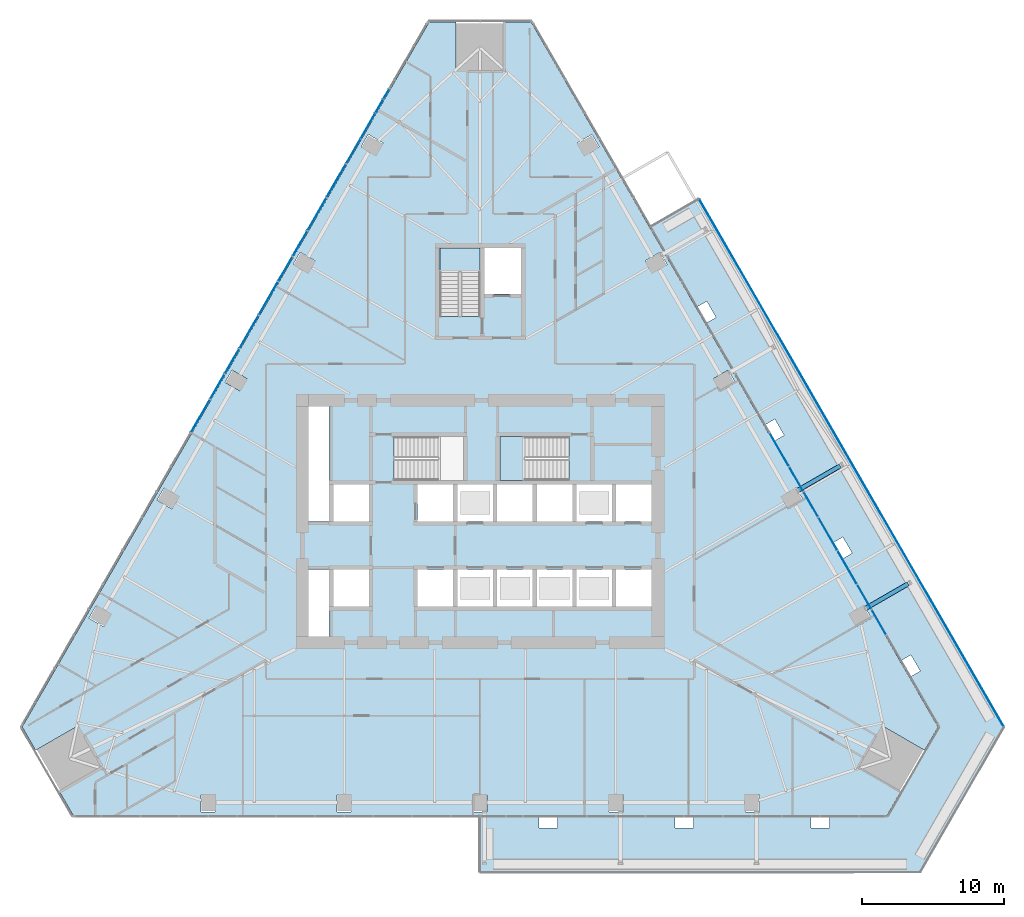
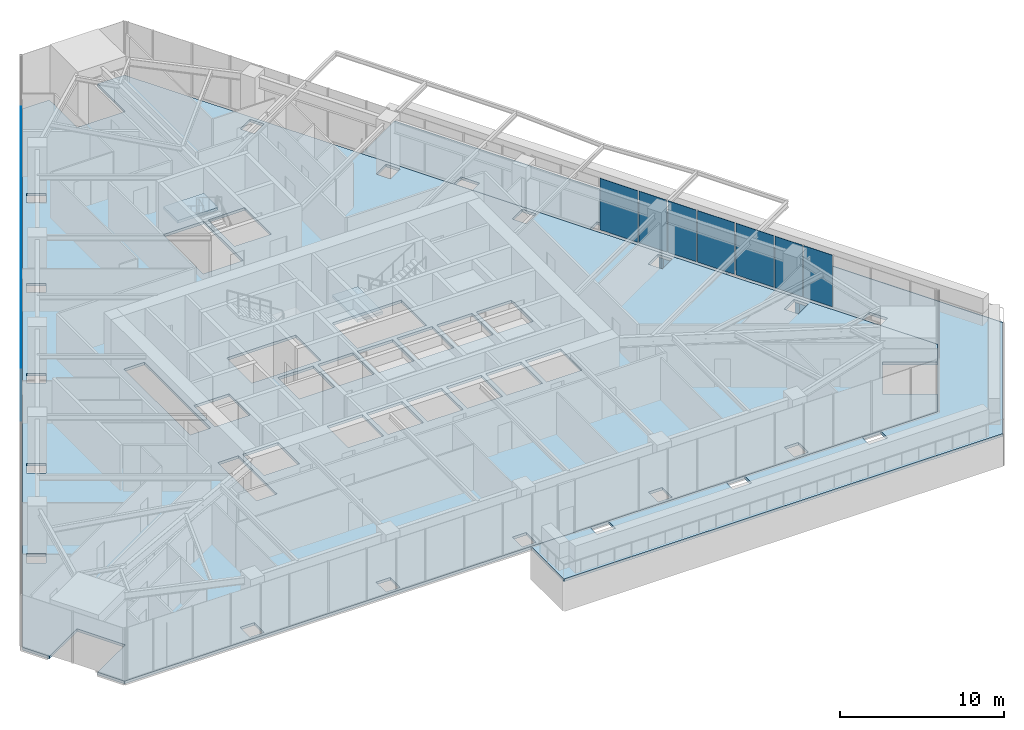
# One storey, part 16 of 29: 24 plates, 4 slabs, 4 elements without a shape of their own.
"""IFC4 building model written with IfcOpenShell, lengths in metres."""

from ifc_helpers import new_model, si_unit, direction, frame, origin, place, context, subcontext, project, spatial, polyline, outline, extrude, material, layer, layer_set, type_object, element, aggregate, save


model = new_model("IFC4")

# Units and contexts
model_context = context("Model", 3, precision=1e-05, world=origin(), true_north=direction((0.0, 1.0)))
body_context = subcontext(model_context, "Body", "Model", "MODEL_VIEW")
ifc_project = project(units=[si_unit("LENGTHUNIT", "METRE"), si_unit("AREAUNIT", "SQUARE_METRE"), si_unit("VOLUMEUNIT", "CUBIC_METRE"), si_unit("PLANEANGLEUNIT", "RADIAN"), si_unit("MASSUNIT", "GRAM", prefix="KILO")], contexts=[model_context])

# Site, building, storey
site_placement = place(None, origin())
site = spatial("IfcSite", under=ifc_project, at=site_placement, CompositionType="ELEMENT")
building_placement = place(site_placement, origin())
building = spatial("IfcBuilding", under=site, at=building_placement, Name="Firuza Gate Tower and Library", CompositionType="ELEMENT")
storey_placement = place(building_placement, frame((0.0, 0.0, 48.39990234375)))
storey = spatial("IfcBuildingStorey", under=building, at=storey_placement, Name="L10", CompositionType="ELEMENT", Elevation=48.39990234375)

# Slab
ifc_material_1 = material(Name="Concrete C40/50", Category="concrete")
ifc_layer_1 = layer(ifc_material_1, 0.199951171875)
ifc_layer_set_1 = layer_set([ifc_layer_1], Name="Composite floor slab 200 C40/50")
slab_type_1 = type_object("IfcSlabType", Name="Composite floor slab 200 C40/50", PredefinedType="FLOOR", material=ifc_layer_set_1)
placement_1 = place(storey_placement, frame((0.0, 0.0, -0.199951171875)))
element("IfcSlab", 1, at=placement_1, inside=storey, type_object=slab_type_1, Name="Floor slab L10", PredefinedType="FLOOR", context=body_context, shape_type="SweptSolid", body=[
    extrude(outline(polyline([(103.70166015625, 54.272216796875), (104.651611328125, 55.91748046875), (101.718994140625, 57.61083984375), (103.4189453125, 60.555419921875), (106.351806640625, 58.862060546875), (107.3017578125, 60.507568359375), (78.60009765625, 110.22021484375), (76.699951171875, 110.22021484375), (76.699951171875, 106.833740234375), (73.300048828125, 106.833740234375), (73.300048828125, 110.22021484375), (71.39990234375, 110.22021484375), (42.6982421875, 60.507568359375), (43.648193359375, 58.862060546875), (46.5810546875, 60.555419921875), (48.281005859375, 57.61083984375), (45.348388671875, 55.91748046875), (46.29833984375, 54.272216796875), (103.70166015625, 54.272216796875)]), holes=[polyline([(55.300048828125, 54.515380859375), (55.300048828125, 55.71533203125), (56.300048828125, 55.71533203125), (56.300048828125, 54.515380859375), (55.300048828125, 54.515380859375)]), polyline([(64.89990234375, 54.515380859375), (64.89990234375, 55.71533203125), (65.89990234375, 55.71533203125), (65.89990234375, 54.515380859375), (64.89990234375, 54.515380859375)]), polyline([(47.909912109375, 69.047607421875), (48.948974609375, 68.447509765625), (48.448974609375, 67.58154296875), (47.409912109375, 68.181640625), (47.909912109375, 69.047607421875)]), polyline([(64.35009765625, 66.89990234375), (62.89990234375, 66.89990234375), (62.89990234375, 71.60009765625), (64.35009765625, 71.60009765625), (64.35009765625, 66.89990234375)]), polyline([(75.89990234375, 69.0), (73.39990234375, 69.0), (73.39990234375, 71.60009765625), (75.89990234375, 71.60009765625), (75.89990234375, 69.0)]), polyline([(73.10009765625, 69.0), (70.60009765625, 69.0), (70.60009765625, 71.60009765625), (73.10009765625, 71.60009765625), (73.10009765625, 69.0)]), polyline([(64.64990234375, 69.0), (64.64990234375, 71.60009765625), (67.14990234375, 71.60009765625), (67.14990234375, 69.0), (64.64990234375, 69.0)]), polyline([(64.64990234375, 75.0), (64.64990234375, 77.60009765625), (67.14990234375, 77.60009765625), (67.14990234375, 75.0), (64.64990234375, 75.0)]), polyline([(75.89990234375, 75.0), (73.39990234375, 75.0), (73.39990234375, 77.60009765625), (75.89990234375, 77.60009765625), (75.89990234375, 75.0)]), polyline([(73.10009765625, 75.0), (70.60009765625, 75.0), (70.60009765625, 77.60009765625), (73.10009765625, 77.60009765625), (73.10009765625, 75.0)]), polyline([(52.709716796875, 77.361572265625), (53.7490234375, 76.761474609375), (53.2490234375, 75.8955078125), (52.209716796875, 76.495361328125), (52.709716796875, 77.361572265625)]), polyline([(62.89990234375, 75.0), (62.89990234375, 83.10009765625), (64.35009765625, 83.10009765625), (64.35009765625, 75.0), (62.89990234375, 75.0)]), polyline([(68.9404296875, 77.89990234375), (68.9404296875, 80.97998046875), (73.81005859375, 80.97998046875), (73.81005859375, 77.89990234375), (68.9404296875, 77.89990234375)]), polyline([(57.509765625, 85.67529296875), (58.549072265625, 85.075439453125), (58.049072265625, 84.209228515625), (57.009765625, 84.809326171875), (57.509765625, 85.67529296875)]), polyline([(72.159912109375, 89.470458984375), (72.159912109375, 94.300048828125), (75.0, 94.300048828125), (75.0, 89.470458984375), (72.159912109375, 89.470458984375)]), polyline([(62.309814453125, 93.9892578125), (63.34912109375, 93.38916015625), (62.84912109375, 92.523193359375), (61.809814453125, 93.123046875), (62.309814453125, 93.9892578125)]), polyline([(68.14892578125, 101.703125), (67.64892578125, 100.8369140625), (66.60986328125, 101.43701171875), (67.10986328125, 102.302978515625), (68.14892578125, 101.703125)]), polyline([(93.699951171875, 54.515380859375), (93.699951171875, 55.71533203125), (94.699951171875, 55.71533203125), (94.699951171875, 54.515380859375), (93.699951171875, 54.515380859375)]), polyline([(74.5, 54.515380859375), (74.5, 55.71533203125), (75.5, 55.71533203125), (75.5, 54.515380859375), (74.5, 54.515380859375)]), polyline([(84.10009765625, 54.515380859375), (84.10009765625, 55.71533203125), (85.10009765625, 55.71533203125), (85.10009765625, 54.515380859375), (84.10009765625, 54.515380859375)]), polyline([(102.590087890625, 68.181640625), (101.551025390625, 67.58154296875), (101.051025390625, 68.447509765625), (102.090087890625, 69.047607421875), (102.590087890625, 68.181640625)]), polyline([(78.699951171875, 69.0), (76.199951171875, 69.0), (76.199951171875, 71.60009765625), (78.699951171875, 71.60009765625), (78.699951171875, 69.0)]), polyline([(81.5, 69.0), (79.0, 69.0), (79.0, 71.60009765625), (81.5, 71.60009765625), (81.5, 69.0)]), polyline([(84.60009765625, 69.0), (84.60009765625, 71.60009765625), (87.10009765625, 71.60009765625), (87.10009765625, 69.0), (84.60009765625, 69.0)]), polyline([(81.800048828125, 69.0), (81.800048828125, 71.60009765625), (84.300048828125, 71.60009765625), (84.300048828125, 69.0), (81.800048828125, 69.0)]), polyline([(84.300048828125, 75.0), (81.800048828125, 75.0), (81.800048828125, 77.60009765625), (84.300048828125, 77.60009765625), (84.300048828125, 75.0)]), polyline([(87.10009765625, 75.0), (84.60009765625, 75.0), (84.60009765625, 77.60009765625), (87.10009765625, 77.60009765625), (87.10009765625, 75.0)]), polyline([(81.5, 75.0), (79.0, 75.0), (79.0, 77.60009765625), (81.5, 77.60009765625), (81.5, 75.0)]), polyline([(76.199951171875, 75.0), (76.199951171875, 77.60009765625), (78.699951171875, 77.60009765625), (78.699951171875, 75.0), (76.199951171875, 75.0)]), polyline([(96.7509765625, 75.8955078125), (96.2509765625, 76.761474609375), (97.290283203125, 77.361572265625), (97.790283203125, 76.495361328125), (96.7509765625, 75.8955078125)]), polyline([(81.259521484375, 77.89990234375), (76.389892578125, 77.89990234375), (76.389892578125, 80.97998046875), (81.259521484375, 80.97998046875), (81.259521484375, 77.89990234375)]), polyline([(92.990234375, 84.809326171875), (91.950927734375, 84.209228515625), (91.450927734375, 85.075439453125), (92.490234375, 85.67529296875), (92.990234375, 84.809326171875)]), polyline([(77.89990234375, 91.050048828125), (75.300048828125, 91.050048828125), (75.300048828125, 94.300048828125), (77.89990234375, 94.300048828125), (77.89990234375, 91.050048828125)]), polyline([(87.15087890625, 92.523193359375), (86.65087890625, 93.38916015625), (87.690185546875, 93.9892578125), (88.190185546875, 93.123046875), (87.15087890625, 92.523193359375)]), polyline([(82.35107421875, 100.8369140625), (81.85107421875, 101.703125), (82.89013671875, 102.302978515625), (83.39013671875, 101.43701171875), (82.35107421875, 100.8369140625)])]), origin(), (0.0, 0.0, 1.0), 0.199951171875),
])

# Curtain wall, plates
ifc_material_2 = material(Name="Aluminium 6063-T6", Category="aluminium")
ifc_layer_2 = layer(ifc_material_2, 0.14990234375)
ifc_layer_set_2 = layer_set([ifc_layer_2], Name="Unitised curtain wall, offices")
curtain_wall_type = type_object("IfcCurtainWallType", Name="Unitised curtain wall, offices", PredefinedType="NOTDEFINED", material=ifc_layer_set_2)
placement_2 = place(storey_placement, origin())
curtain_wall_1 = element("IfcCurtainWall", 2, at=placement_2, inside=storey, type_object=curtain_wall_type, Name="CW1 L10 E face", PredefinedType="NOTDEFINED")
ifc_material_3 = material(Name="Fritted glass", Category="glass")
ifc_layer_3 = layer(ifc_material_3, 0.030029296875)
ifc_layer_set_3 = layer_set([ifc_layer_3], Name="Fritted glass unit, offices")
plate_type_1 = type_object("IfcPlateType", Name="Fritted glass unit, offices", PredefinedType="CURTAIN_PANEL", material=ifc_layer_set_3)
plate_1_placement = place(storey_placement, frame((103.641845703125, 67.026611328125, 0.150146484375), z_axis=(0.865998653272, 0.500046330384, 0.0), x_axis=(-0.500046330384, 0.865998653272, 0.0)))
plate_1 = element("IfcPlate", 3, at=plate_1_placement, type_object=plate_type_1, Name="Glass unit", PredefinedType="CURTAIN_PANEL", context=body_context, shape_type="SweptSolid", body=[
    extrude(outline(polyline([(0.0, 0.0), (2.0227617880883564, 0.0), (2.0227617880883564, 3.849853515625), (0.0, 3.849853515625), (0.0, 0.0)])), origin(), (0.0, 0.0, -1.0), 0.030029296875),
])
plate_2_placement = place(storey_placement, frame((102.59033203125, 68.84765625, 0.150146484375), z_axis=(0.866045854272, 0.499964577043, 0.0), x_axis=(-0.499964577043, 0.866045854272, 0.0)))
plate_2 = element("IfcPlate", 4, at=plate_2_placement, type_object=plate_type_1, Name="Glass unit", PredefinedType="CURTAIN_PANEL", context=body_context, shape_type="SweptSolid", body=[
    extrude(outline(polyline([(0.0, 0.0), (1.9493568539669226, 0.0), (1.9493568539669226, 3.849853515625), (0.0, 3.849853515625), (0.0, 0.0)])), origin(), (0.0, 0.0, -1.0), 0.030029296875),
])
plate_3_placement = place(storey_placement, frame((98.841796875, 75.34033203125, 0.150146484375), z_axis=(0.866053762422, 0.499950878181, 0.0), x_axis=(-0.499950878181, 0.866053762422, 0.0)))
plate_3 = element("IfcPlate", 5, at=plate_3_placement, type_object=plate_type_1, Name="Glass unit", PredefinedType="CURTAIN_PANEL", context=body_context, shape_type="SweptSolid", body=[
    extrude(outline(polyline([(0.0, 0.0), (2.0045914696091076, 0.0), (2.0045914696091076, 3.849853515625001), (0.0, 3.849853515625001), (0.0, 0.0)])), origin(), (0.0, 0.0, -1.0), 0.030029296875),
])
plate_4_placement = place(storey_placement, frame((97.799560546875, 77.1455078125, 0.150146484375), z_axis=(0.866051307416, 0.49995513091, 0.0), x_axis=(-0.49995513091, 0.866051307416, 0.0)))
plate_4 = element("IfcPlate", 6, at=plate_4_placement, type_object=plate_type_1, Name="Glass unit", PredefinedType="CURTAIN_PANEL", context=body_context, shape_type="SweptSolid", body=[
    extrude(outline(polyline([(0.0, 0.0), (1.9679500377533197, 0.0), (1.9679500377533197, 3.849853515625), (0.0, 3.849853515625), (0.0, 0.0)])), origin(), (0.0, 0.0, -1.0), 0.030029296875),
])

curtain_wall_2 = element("IfcCurtainWall", 7, at=placement_2, inside=storey, type_object=curtain_wall_type, Name="CW1 L10 W face", PredefinedType="NOTDEFINED")
plate_5_placement = place(storey_placement, frame((68.145751953125, 104.763671875, 0.150146484375), z_axis=(-0.86602790099, 0.499995674689, 0.0), x_axis=(-0.499995674689, -0.86602790099, 0.0)))
plate_5 = element("IfcPlate", 8, at=plate_5_placement, type_object=plate_type_1, Name="Glass unit", PredefinedType="CURTAIN_PANEL", context=body_context, shape_type="SweptSolid", body=[
    extrude(outline(polyline([(0.0, 0.0), (3.145535023336782, 0.0), (3.145535023336782, 1.885009765625), (0.0, 1.885009765625), (0.0, 0.0)])), origin(), (0.0, 0.0, -1.0), 0.030029296875),
])
plate_6_placement = place(storey_placement, frame((67.584228515625, 103.791259765625, 2.114990234375), z_axis=(-0.866050918118, 0.499955805274, 0.0), x_axis=(-0.499955805274, -0.866050918118, 0.0)))
plate_6 = element("IfcPlate", 9, at=plate_6_placement, type_object=plate_type_1, Name="Glass unit", PredefinedType="CURTAIN_PANEL", context=body_context, shape_type="SweptSolid", body=[
    extrude(outline(polyline([(0.0, 0.0), (2.0226397175148216, 0.0), (2.0226397175148216, 1.885009765625), (0.0, 1.885009765625), (0.0, 0.0)])), origin(), (0.0, 0.0, -1.0), 0.030029296875),
])
plate_7_placement = place(storey_placement, frame((66.532958984375, 101.97021484375, 0.150146484375), z_axis=(-0.86599162392, 0.500058503878, 0.0), x_axis=(-0.500058503878, -0.86599162392, 0.0)))
plate_7 = element("IfcPlate", 10, at=plate_7_placement, type_object=plate_type_1, Name="Glass unit", PredefinedType="CURTAIN_PANEL", context=body_context, shape_type="SweptSolid", body=[
    extrude(outline(polyline([(0.0, 0.0), (1.949478927097277, 0.0), (1.949478927097277, 3.849853515625), (0.0, 3.849853515625), (0.0, 0.0)])), origin(), (0.0, 0.0, -1.0), 0.030029296875),
])
plate_8_placement = place(storey_placement, frame((62.784423828125, 95.4775390625, 0.150146484375), z_axis=(-0.866001027345, 0.500042218855, 0.0), x_axis=(-0.500042218855, -0.866001027345, 0.0)))
plate_8 = element("IfcPlate", 11, at=plate_8_placement, type_object=plate_type_1, Name="Glass unit", PredefinedType="CURTAIN_PANEL", context=body_context, shape_type="SweptSolid", body=[
    extrude(outline(polyline([(0.0, 0.0), (2.0047135390793, 0.0), (2.0047135390793, 3.849853515625), (0.0, 3.849853515625), (0.0, 0.0)])), origin(), (0.0, 0.0, -1.0), 0.030029296875),
])
plate_9_placement = place(storey_placement, frame((61.741943359375, 93.67236328125, 0.150146484375), z_axis=(-0.866051307416, 0.49995513091, 0.0), x_axis=(-0.49995513091, -0.866051307416, 0.0)))
plate_9 = element("IfcPlate", 12, at=plate_9_placement, type_object=plate_type_1, Name="Glass unit", PredefinedType="CURTAIN_PANEL", context=body_context, shape_type="SweptSolid", body=[
    extrude(outline(polyline([(0.0, 0.0), (1.9679500377533197, 0.0), (1.9679500377533197, 3.849853515625), (0.0, 3.849853515625), (0.0, 0.0)])), origin(), (0.0, 0.0, -1.0), 0.030029296875),
])
plate_10_placement = place(storey_placement, frame((57.984375, 87.16357421875, 0.150146484375), z_axis=(-0.865995203459, 0.50005230485, 0.0), x_axis=(-0.50005230485, -0.865995203459, 0.0)))
plate_10 = element("IfcPlate", 13, at=plate_10_placement, type_object=plate_type_1, Name="Glass unit", PredefinedType="CURTAIN_PANEL", context=body_context, shape_type="SweptSolid", body=[
    extrude(outline(polyline([(0.0, 0.0), (1.9861203575437747, 0.0), (1.9861203575437747, 3.849853515625001), (0.0, 3.849853515625001), (0.0, 0.0)])), origin(), (0.0, 0.0, -1.0), 0.030029296875),
])
plate_11_placement = place(storey_placement, frame((56.951171875, 85.374267578125, 0.150146484375), z_axis=(-0.865995203459, 0.50005230485, 0.0), x_axis=(-0.50005230485, -0.865995203459, 0.0)))
plate_11 = element("IfcPlate", 14, at=plate_11_placement, type_object=plate_type_1, Name="Glass unit", PredefinedType="CURTAIN_PANEL", context=body_context, shape_type="SweptSolid", body=[
    extrude(outline(polyline([(0.0, 0.0), (1.9861203575437747, 0.0), (1.9861203575437747, 3.849853515625001), (0.0, 3.849853515625001), (0.0, 0.0)])), origin(), (0.0, 0.0, -1.0), 0.030029296875),
])

# Plate
ifc_material_4 = material(Name="Glazed ceramic tile")
ifc_layer_4 = layer(ifc_material_4, 0.030029296875)
ifc_layer_set_4 = layer_set([ifc_layer_4], Name="Opaque ceramic panel, offices")
plate_type_2 = type_object("IfcPlateType", Name="Opaque ceramic panel, offices", PredefinedType="CURTAIN_PANEL", material=ifc_layer_set_4)
plate_12_placement = place(storey_placement, frame((101.57568359375, 70.605224609375, 0.150146484375), z_axis=(0.866032438121, 0.499987815973, 0.0), x_axis=(-0.499987815973, 0.866032438121, 0.0)))
plate_12 = element("IfcPlate", 15, at=plate_12_placement, type_object=plate_type_2, Name="Opaque ceramic panel", PredefinedType="CURTAIN_PANEL", context=body_context, shape_type="SweptSolid", body=[
    extrude(outline(polyline([(0.0, 0.0), (2.6812176798048513, 0.0), (2.6812176798048513, 3.849853515625), (0.0, 3.849853515625), (0.0, 0.0)])), origin(), (0.0, 0.0, -1.0), 0.030029296875),
])

plate_13_placement = place(storey_placement, frame((100.195068359375, 72.99658203125, 0.150146484375), z_axis=(0.866009105372, 0.500028228617, 0.0), x_axis=(-0.500028228617, 0.866009105372, 0.0)))
plate_13 = element("IfcPlate", 16, at=plate_13_placement, type_object=plate_type_2, Name="Opaque ceramic panel", PredefinedType="CURTAIN_PANEL", context=body_context, shape_type="SweptSolid", body=[
    extrude(outline(polyline([(0.0, 0.0), (2.62631656918229, 0.0), (2.62631656918229, 3.849853515625), (0.0, 3.849853515625), (0.0, 0.0)])), origin(), (0.0, 0.0, -1.0), 0.030029296875),
])

plate_14_placement = place(storey_placement, frame((96.775634765625, 78.919189453125, 0.150146484375), z_axis=(0.86601153442, 0.500024021674, 0.0), x_axis=(-0.500024021674, 0.86601153442, 0.0)))
plate_14 = element("IfcPlate", 17, at=plate_14_placement, type_object=plate_type_2, Name="Opaque ceramic panel", PredefinedType="CURTAIN_PANEL", context=body_context, shape_type="SweptSolid", body=[
    extrude(outline(polyline([(0.0, 0.0), (2.6629580000839637, 0.0), (2.6629580000839637, 3.849853515625), (0.0, 3.849853515625), (0.0, 0.0)])), origin(), (0.0, 0.0, -1.0), 0.030029296875),
])

aggregate(curtain_wall_1, [plate_1, plate_2, plate_12, plate_13, plate_3, plate_4, plate_14])

plate_15_placement = place(storey_placement, frame((68.92822265625, 106.119140625, 0.150146484375), z_axis=(-0.866059658381, 0.499940664604, 0.0), x_axis=(-0.499940664604, -0.866059658381, 0.0)))
plate_15 = element("IfcPlate", 18, at=plate_15_placement, type_object=plate_type_2, Name="Opaque ceramic panel", PredefinedType="CURTAIN_PANEL", context=body_context, shape_type="SweptSolid", body=[
    extrude(outline(polyline([(0.0, 0.0), (1.4850395120636655, 0.0), (1.4850395120636655, 1.885009765625), (0.0, 1.885009765625), (0.0, 0.0)])), origin(), (0.0, 0.0, -1.0), 0.030029296875),
])

plate_16_placement = place(storey_placement, frame((68.571044921875, 105.500244140625, 2.114990234375), z_axis=(-0.865996614288, 0.500049861556, 0.0), x_axis=(-0.500049861556, -0.865996614288, 0.0)))
plate_16 = element("IfcPlate", 19, at=plate_16_placement, type_object=plate_type_2, Name="Opaque ceramic panel", PredefinedType="CURTAIN_PANEL", context=body_context, shape_type="SweptSolid", body=[
    extrude(outline(polyline([(0.0, 0.0), (1.8933658751637246, 0.0), (1.8933658751637246, 1.885009765625), (0.0, 1.885009765625), (0.0, 0.0)])), origin(), (0.0, 0.0, -1.0), 0.030029296875),
])

plate_17_placement = place(storey_placement, frame((65.51806640625, 100.212646484375, 0.150146484375), z_axis=(-0.866032438121, 0.499987815973, 0.0), x_axis=(-0.499987815973, -0.866032438121, 0.0)))
plate_17 = element("IfcPlate", 20, at=plate_17_placement, type_object=plate_type_2, Name="Opaque ceramic panel", PredefinedType="CURTAIN_PANEL", context=body_context, shape_type="SweptSolid", body=[
    extrude(outline(polyline([(0.0, 0.0), (2.6812176798048513, 0.0), (2.6812176798048513, 3.849853515625), (0.0, 3.849853515625), (0.0, 0.0)])), origin(), (0.0, 0.0, -1.0), 0.030029296875),
])

plate_18_placement = place(storey_placement, frame((64.137451171875, 97.8212890625, 0.150146484375), z_axis=(-0.866009105372, 0.500028228617, 0.0), x_axis=(-0.500028228617, -0.866009105372, 0.0)))
plate_18 = element("IfcPlate", 21, at=plate_18_placement, type_object=plate_type_2, Name="Opaque ceramic panel", PredefinedType="CURTAIN_PANEL", context=body_context, shape_type="SweptSolid", body=[
    extrude(outline(polyline([(0.0, 0.0), (2.62631656918229, 0.0), (2.62631656918229, 3.849853515625), (0.0, 3.849853515625), (0.0, 0.0)])), origin(), (0.0, 0.0, -1.0), 0.030029296875),
])

plate_19_placement = place(storey_placement, frame((60.718017578125, 91.898681640625, 0.150146484375), z_axis=(-0.86605123349, 0.499955258969, 0.0), x_axis=(-0.499955258969, -0.86605123349, 0.0)))
plate_19 = element("IfcPlate", 22, at=plate_19_placement, type_object=plate_type_2, Name="Opaque ceramic panel", PredefinedType="CURTAIN_PANEL", context=body_context, shape_type="SweptSolid", body=[
    extrude(outline(polyline([(0.0, 0.0), (2.6628359323004895, 0.0), (2.6628359323004895, 3.849853515625), (0.0, 3.849853515625), (0.0, 0.0)])), origin(), (0.0, 0.0, -1.0), 0.030029296875),
])

plate_20_placement = place(storey_placement, frame((59.3466796875, 89.523193359375, 0.150146484375), z_axis=(-0.866030315638, 0.499991492324, 0.0), x_axis=(-0.499991492324, -0.866030315638, 0.0)))
plate_20 = element("IfcPlate", 23, at=plate_20_placement, type_object=plate_type_2, Name="Opaque ceramic panel", PredefinedType="CURTAIN_PANEL", context=body_context, shape_type="SweptSolid", body=[
    extrude(outline(polyline([(0.0, 0.0), (2.6445762483946558, 0.0), (2.6445762483946558, 3.849853515625), (0.0, 3.849853515625), (0.0, 0.0)])), origin(), (0.0, 0.0, -1.0), 0.030029296875),
])

plate_21_placement = place(storey_placement, frame((55.918212890625, 83.5849609375, 0.150146484375), z_axis=(-0.865990340526, 0.500060726429, 0.0), x_axis=(-0.500060726429, -0.865990340526, 0.0)))
plate_21 = element("IfcPlate", 24, at=plate_21_placement, type_object=plate_type_2, Name="Opaque ceramic panel", PredefinedType="CURTAIN_PANEL", context=body_context, shape_type="SweptSolid", body=[
    extrude(outline(polyline([(0.0, 0.0), (2.64469832508171, 0.0), (2.64469832508171, 3.849853515625), (0.0, 3.849853515625), (0.0, 0.0)])), origin(), (0.0, 0.0, -1.0), 0.030029296875),
])

aggregate(curtain_wall_2, [plate_15, plate_5, plate_16, plate_6, plate_7, plate_17, plate_18, plate_8, plate_9, plate_19, plate_20, plate_10, plate_11, plate_21])

# Slab
ifc_material_5 = material(Name="Concrete C40/50", Category="concrete")
ifc_layer_5 = layer(ifc_material_5, 0.199951171875)
ifc_layer_set_5 = layer_set([ifc_layer_5], Name="Planter tray slab 200 C40/50")
slab_type_2 = type_object("IfcSlabType", Name="Planter tray slab 200 C40/50", PredefinedType="FLOOR", material=ifc_layer_set_5)
element("IfcSlab", 25, at=placement_1, inside=storey, type_object=slab_type_2, Name="Planter tray L10 band 1", PredefinedType="FLOOR", context=body_context, shape_type="SweptSolid", body=[
    extrude(outline(polyline([(75.0, 54.272216796875), (75.0, 50.272216796875), (106.010986328125, 50.272216796875), (111.92041015625, 60.507568359375), (90.431396484375, 97.727783203125), (86.96728515625, 95.727783203125), (107.3017578125, 60.507568359375), (103.70166015625, 54.272216796875), (75.0, 54.272216796875)]), holes=[polyline([(79.257080078125, 54.240478515625), (80.3427734375, 54.240478515625), (80.45703125, 54.240478515625), (80.45703125, 53.390380859375), (80.3427734375, 53.390380859375), (79.257080078125, 53.390380859375), (79.142822265625, 53.390380859375), (79.142822265625, 54.240478515625), (79.257080078125, 54.240478515625)]), polyline([(98.45703125, 54.240478515625), (99.54296875, 54.240478515625), (99.6572265625, 54.240478515625), (99.6572265625, 53.390380859375), (99.54296875, 53.390380859375), (98.45703125, 53.390380859375), (98.3427734375, 53.390380859375), (98.3427734375, 54.240478515625), (98.45703125, 54.240478515625)]), polyline([(88.857177734375, 54.240478515625), (89.94287109375, 54.240478515625), (90.05712890625, 54.240478515625), (90.05712890625, 53.390380859375), (89.94287109375, 53.390380859375), (88.857177734375, 53.390380859375), (88.742919921875, 53.390380859375), (88.742919921875, 54.240478515625), (88.857177734375, 54.240478515625)]), polyline([(104.70703125, 65.0654296875), (104.649658203125, 65.164306640625), (105.385986328125, 65.58935546875), (105.98583984375, 64.550048828125), (105.98583984375, 64.550048828125), (106.04296875, 64.451171875), (105.306884765625, 64.026123046875), (104.70703125, 65.0654296875), (104.70703125, 65.0654296875)]), polyline([(100.5068359375, 72.33984375), (99.906982421875, 73.379150390625), (99.906982421875, 73.379150390625), (99.849853515625, 73.47802734375), (100.5859375, 73.903076171875), (101.185791015625, 72.864013671875), (101.185791015625, 72.864013671875), (101.2431640625, 72.764892578125), (100.5068359375, 72.33984375)]), polyline([(95.0498046875, 81.7919921875), (95.785888671875, 82.217041015625), (96.385986328125, 81.177734375), (96.385986328125, 81.177734375), (96.443115234375, 81.078857421875), (95.70703125, 80.65380859375), (95.10693359375, 81.693115234375), (95.10693359375, 81.693115234375), (95.0498046875, 81.7919921875)]), polyline([(90.249755859375, 90.105712890625), (90.98583984375, 90.53076171875), (91.5859375, 89.49169921875), (91.5859375, 89.49169921875), (91.64306640625, 89.392578125), (90.906982421875, 88.967529296875), (90.306884765625, 90.0068359375), (90.306884765625, 90.0068359375), (90.249755859375, 90.105712890625)])]), origin(), (0.0, 0.0, 1.0), 0.199951171875),
])

# Stair, slab
ifc_material_6 = material(Name="Concrete C35/45", Category="concrete")
stair_type_1 = type_object("IfcStairType", Name="Exit stair ST5", PredefinedType="HALF_TURN_STAIR", material=ifc_material_6)
stair_1 = element("IfcStair", 26, at=placement_2, inside=storey, type_object=stair_type_1, Name="L10 Stair ST2", PredefinedType="HALF_TURN_STAIR")
ifc_material_7 = material(Name="Concrete C35/45", Category="concrete")
ifc_layer_6 = layer(ifc_material_7, 0.199951171875)
ifc_layer_set_6 = layer_set([ifc_layer_6], Name="Stair landing 200")
slab_type_3 = type_object("IfcSlabType", Name="Stair landing 200", PredefinedType="LANDING", material=ifc_layer_set_6)
placement_3 = place(storey_placement, frame((0.0, 0.0, 1.900146484375)))
slab_3 = element("IfcSlab", 27, at=placement_3, type_object=slab_type_3, Name="ST2 landing 1", PredefinedType="LANDING", context=body_context, shape_type="SweptSolid", body=[
    extrude(outline(polyline([(78.179931640625, 80.97998046875), (76.389892578125, 80.97998046875), (76.389892578125, 77.89990234375), (78.179931640625, 77.89990234375), (78.179931640625, 80.97998046875)])), origin(), (0.0, 0.0, 1.0), 0.199951171875),
])
aggregate(stair_1, [slab_3])

ifc_material_8 = material(Name="Concrete C35/45", Category="concrete")
stair_type_2 = type_object("IfcStairType", Name="Exit stair ST14", PredefinedType="HALF_TURN_STAIR", material=ifc_material_8)
stair_2 = element("IfcStair", 28, at=placement_2, inside=storey, type_object=stair_type_2, Name="L10 Stair ST3", PredefinedType="HALF_TURN_STAIR")
slab_4 = element("IfcSlab", 29, at=placement_3, type_object=slab_type_3, Name="ST3 landing 1", PredefinedType="LANDING", context=body_context, shape_type="SweptSolid", body=[
    extrude(outline(polyline([(75.0, 92.550048828125), (75.0, 94.300048828125), (72.159912109375, 94.300048828125), (72.159912109375, 92.550048828125), (75.0, 92.550048828125)])), origin(), (0.0, 0.0, 1.0), 0.199951171875),
])
aggregate(stair_2, [slab_4])

# Plates
ifc_material_9 = material(Name="Steel S355", Category="steel")
ifc_layer_7 = layer(ifc_material_9, 0.300048828125)
ifc_layer_set_7 = layer_set([ifc_layer_7], Name="Tray bracket web 300 Steel S355")
plate_type_3 = type_object("IfcPlateType", Name="Tray bracket web 300 Steel S355", PredefinedType="SHEET", material=ifc_layer_set_7)
for number, where, z_axis, x_axis, name in (
    (30, (102.14599609375, 69.02197265625, -0.199951171875), (-0.500081895979, 0.865978115955, 0.0), (0.865978115955, 0.500081895979, 0.0), "Tray bracket web L10 col:L09:E1"),
    (31, (97.345947265625, 77.3359375, -0.199951171875), (-0.500081895979, 0.865978115955, 0.0), (0.865978115955, 0.500081895979, 0.0), "Tray bracket web L10 col:L09:E2"),
):
    element("IfcPlate", number, at=place(storey_placement, frame(where, z_axis=z_axis, x_axis=x_axis)), inside=storey, type_object=plate_type_3, Name=name, PredefinedType="SHEET", context=body_context, shape_type="SweptSolid", body=[
        extrude(outline(polyline([(0.0, 0.0), (3.429614038049955, 0.0), (0.0, 1.333984375), (0.0, 0.0)])), origin(), (0.0, 0.0, -1.0), 0.300048828125),
    ])
ifc_material_10 = material(Name="Aluminium 6063-T6", Category="aluminium")
ifc_layer_8 = layer(ifc_material_10, 0.050048828125)
ifc_layer_set_8 = layer_set([ifc_layer_8], Name="Tray fascia panel 50")
plate_type_4 = type_object("IfcPlateType", Name="Tray fascia panel 50", PredefinedType="SHEET", material=ifc_layer_set_8)
plate_22_placement = place(storey_placement, frame((111.948974609375, 60.55908203125, -2.39990234375), z_axis=(0.866024923411, 0.50000083203, 0.0), x_axis=(-0.50000083203, 0.866024923411, 0.0)))
element("IfcPlate", 32, at=plate_22_placement, inside=storey, type_object=plate_type_4, Name="Tray fascia L10 3", PredefinedType="SHEET", context=body_context, shape_type="SweptSolid", body=[
    extrude(outline(polyline([(0.0, 0.0), (42.91789733208595, 0.0), (42.91789733208595, 2.39990234375), (0.0, 2.39990234375), (0.0, 0.0)])), origin(), (0.0, 0.0, -1.0), 0.050048828125),
])

save(model, "model.ifc")
